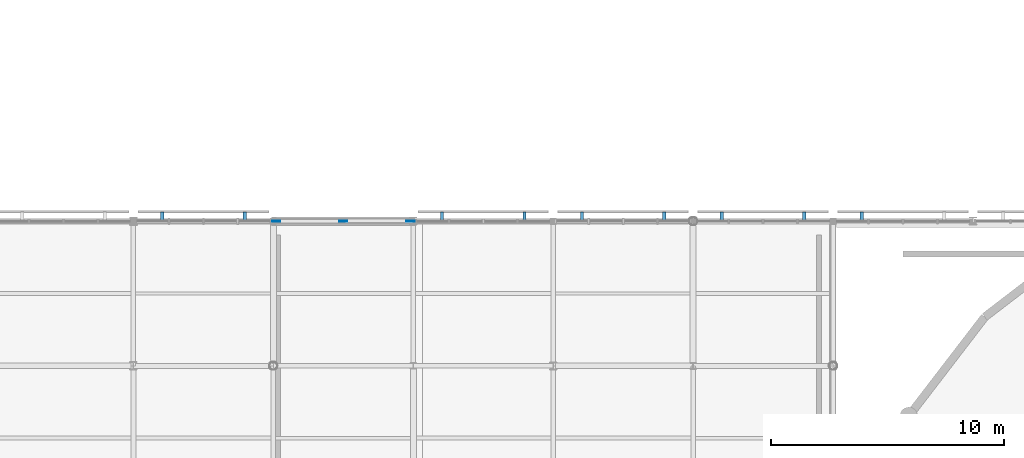
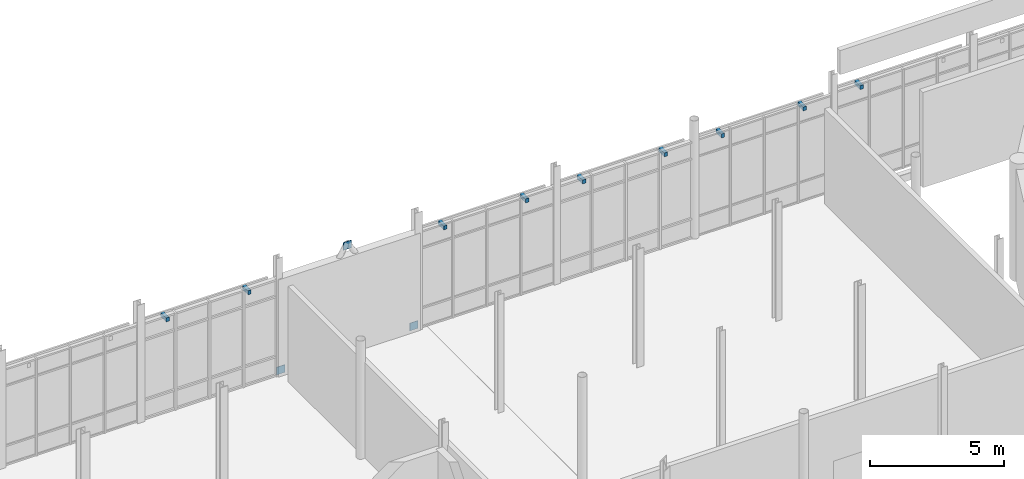
# One storey, part 81 of 105: 12 discrete accessories.
"""IFC4 building model written with IfcOpenShell, lengths in metres."""

from ifc_helpers import new_model, si_unit, direction, frame, origin, origin_2d, place, context, subcontext, project, spatial, rectangle, extrude, material, type_object, element, save


model = new_model("IFC4")

# Units and contexts
model_context = context("Model", 3, precision=1e-05, world=origin(), true_north=direction((0.0, 1.0)))
body_context = subcontext(model_context, "Body", "Model", "MODEL_VIEW")
ifc_project = project(units=[si_unit("LENGTHUNIT", "METRE"), si_unit("AREAUNIT", "SQUARE_METRE"), si_unit("VOLUMEUNIT", "CUBIC_METRE"), si_unit("PLANEANGLEUNIT", "RADIAN"), si_unit("MASSUNIT", "GRAM", prefix="KILO")], contexts=[model_context])

# Site, building, storey
site_placement = place(None, origin())
site = spatial("IfcSite", under=ifc_project, at=site_placement, CompositionType="ELEMENT")
building_placement = place(site_placement, origin())
building = spatial("IfcBuilding", under=site, at=building_placement, Name="Mirzam Square Science Centre", CompositionType="ELEMENT")
storey_placement = place(building_placement, frame((0.0, 0.0, 5.39990234375)))
storey = spatial("IfcBuildingStorey", under=building, at=storey_placement, Name="L01", CompositionType="ELEMENT", Elevation=5.39990234375)

# Discrete accessories
ifc_material = material(Name="Steel S355", Category="steel")
discrete_accessory_type_1 = type_object("IfcDiscreteAccessoryType", Name="BK-BRACE-GUSSET", PredefinedType="BRACKET", material=ifc_material)
for number, where, z_axis, x_axis, name in (
    (1, (36.1201171875, 80.60009765625, -0.0048828125), (0.0, 0.0, 1.0), (1.0, 0.0, 0.0), "L01 brace gusset plate 3A"),
    (2, (41.8798828125, 80.60009765625, -0.0048828125), (0.0, 0.0, 1.0), (1.0, 0.0, 0.0), "L01 brace gusset plate 3B"),
    (3, (39.0, 80.60009765625, 4.679931640625), (0.0, 0.0, 1.0), (1.0, 0.0, 0.0), "L01 brace apex gusset plate 3"),
):
    element("IfcDiscreteAccessory", number, at=place(storey_placement, frame(where, z_axis=z_axis, x_axis=x_axis)), inside=storey, type_object=discrete_accessory_type_1, Name=name, PredefinedType="BRACKET", context=body_context, shape_type="SweptSolid", body=[
        extrude(rectangle(XDim=0.35009765625, YDim=0.02490234375, at=origin_2d()), origin(), (0.0, 0.0, 1.0), 0.35009765625),
    ])
discrete_accessory_type_2 = type_object("IfcDiscreteAccessoryType", Name="BRK-BRISE-STEEL", PredefinedType="BRACKET", material=ifc_material)
for number, where, z_axis, x_axis, name in (
    (4, (34.76708984375, 80.7900390625, 4.10009765625), (0.0, 0.0, 1.0), (-1.0, 0.0, 0.0), "L01 brise-soleil support bracket 12"),
    (5, (31.23291015625, 80.7900390625, 4.10009765625), (0.0, 0.0, 1.0), (-1.0, 0.0, 0.0), "L01 brise-soleil support bracket 12"),
    (6, (46.76708984375, 80.7900390625, 4.10009765625), (0.0, 0.0, 1.0), (-1.0, 0.0, 0.0), "L01 brise-soleil support bracket 13"),
    (7, (43.23291015625, 80.7900390625, 4.10009765625), (0.0, 0.0, 1.0), (-1.0, 0.0, 0.0), "L01 brise-soleil support bracket 13"),
    (8, (52.76708984375, 80.7900390625, 4.10009765625), (0.0, 0.0, 1.0), (-1.0, 0.0, 0.0), "L01 brise-soleil support bracket 14"),
    (9, (49.23291015625, 80.7900390625, 4.10009765625), (0.0, 0.0, 1.0), (-1.0, 0.0, 0.0), "L01 brise-soleil support bracket 14"),
    (10, (58.76708984375, 80.7900390625, 4.10009765625), (0.0, 0.0, 1.0), (-1.0, 0.0, 0.0), "L01 brise-soleil support bracket 15"),
    (11, (55.23291015625, 80.7900390625, 4.10009765625), (0.0, 0.0, 1.0), (-1.0, 0.0, 0.0), "L01 brise-soleil support bracket 15"),
    (12, (61.23291015625, 80.7900390625, 4.2099609375), (0.0, 0.0, 1.0), (-1.0, 0.0, 0.0), "L01 brise-soleil support bracket 42"),
):
    element("IfcDiscreteAccessory", number, at=place(storey_placement, frame(where, z_axis=z_axis, x_axis=x_axis)), inside=storey, type_object=discrete_accessory_type_2, Name=name, PredefinedType="BRACKET", context=body_context, shape_type="SweptSolid", body=[
        extrude(rectangle(XDim=0.139892578125, YDim=0.419921875, at=origin_2d()), origin(), (0.0, 0.0, 1.0), 0.179931640625),
    ])

save(model, "model.ifc")
